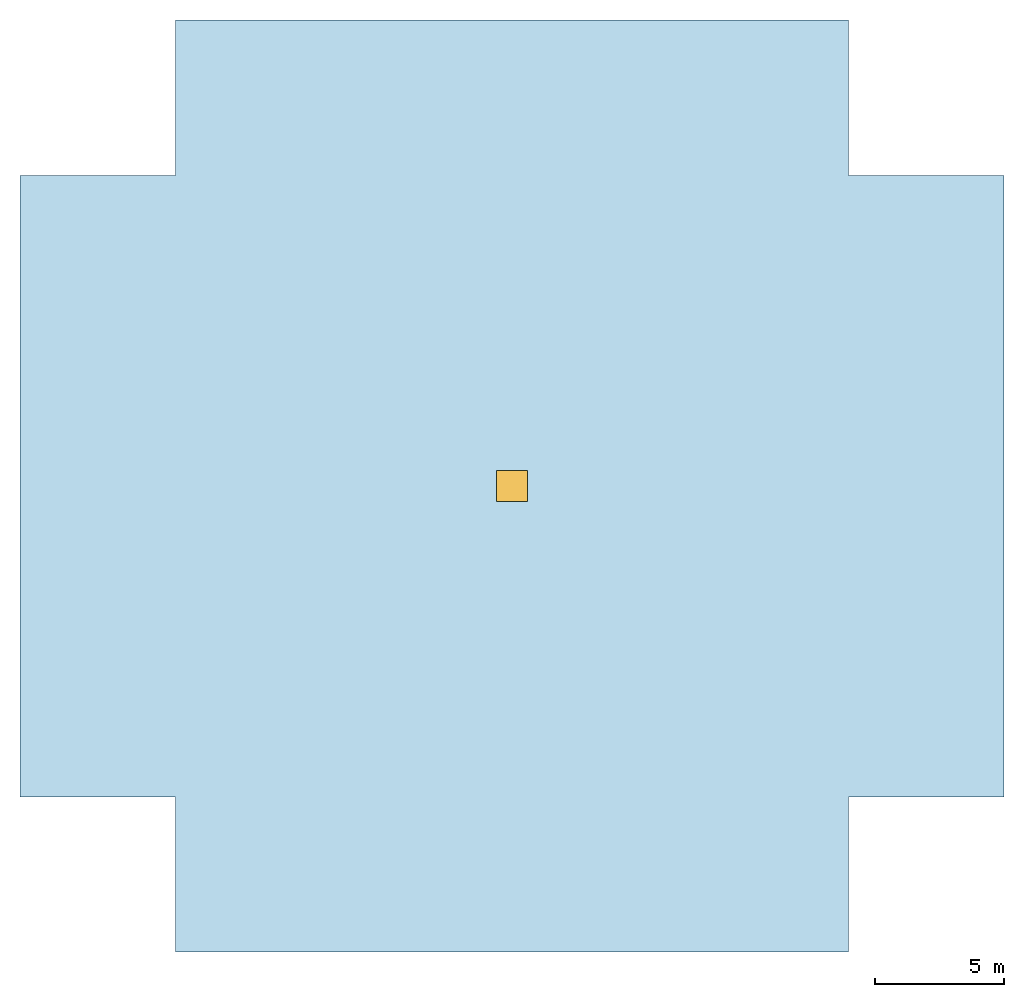
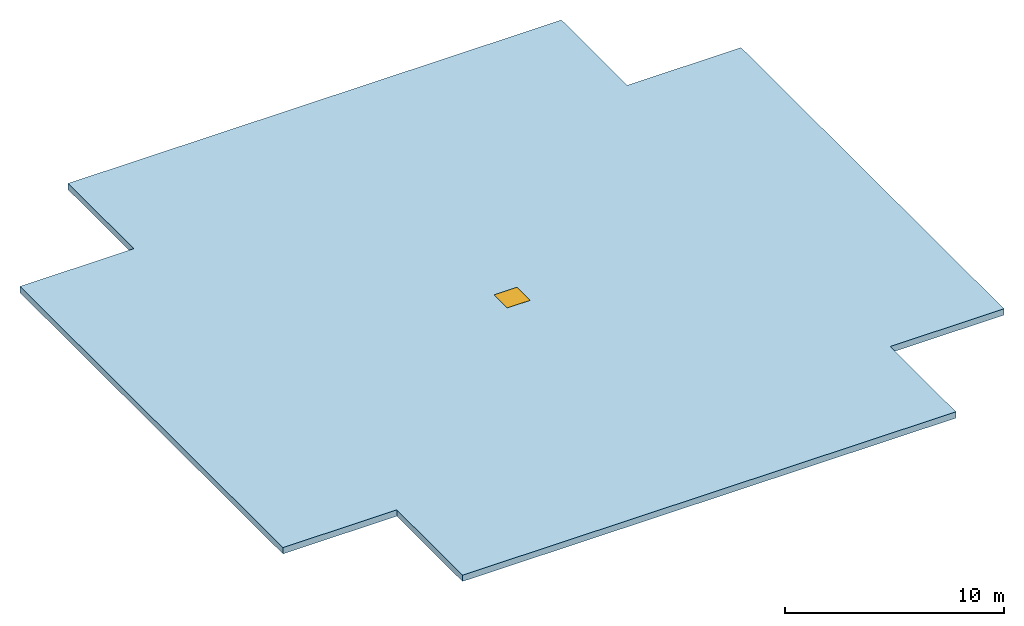
# One storey: 1 slab, 1 window, 1 opening.
"""IFC4 building model written with IfcOpenShell, lengths in metres."""

from ifc_helpers import new_model, si_unit, direction, frame, origin, origin_2d, place, context, subcontext, project, spatial, polyline, rectangle, outline, extrude, material, layer, layer_set, type_object, element, fill, save


model = new_model("IFC4")

# Units and contexts
model_context = context("Model", 3, precision=1e-05, world=origin(), true_north=direction((0.0, 1.0)))
body_context = subcontext(model_context, "Body", "Model", "MODEL_VIEW")
ifc_project = project(units=[si_unit("LENGTHUNIT", "METRE"), si_unit("AREAUNIT", "SQUARE_METRE"), si_unit("VOLUMEUNIT", "CUBIC_METRE"), si_unit("PLANEANGLEUNIT", "RADIAN"), si_unit("MASSUNIT", "GRAM", prefix="KILO")], contexts=[model_context])

# Site, building, storey
site_placement = place(None, origin())
site = spatial("IfcSite", under=ifc_project, at=site_placement, CompositionType="ELEMENT")
building_placement = place(site_placement, origin())
building = spatial("IfcBuilding", under=site, at=building_placement, Name="Brelmoor Portico Tower", CompositionType="ELEMENT")
storey_placement = place(building_placement, frame((0.0, 0.0, 312.0)))
storey = spatial("IfcBuildingStorey", under=building, at=storey_placement, Name="RF", CompositionType="ELEMENT", Elevation=312.0)

# Slab, opening, window
ifc_material_1 = material(Name="Concrete C40", Category="concrete")
ifc_layer = layer(ifc_material_1, 0.35009765625)
ifc_layer_set = layer_set([ifc_layer], Name="Concrete C40")
slab_type = type_object("IfcSlabType", Name="SL-ROOF-350", PredefinedType="ROOF", material=ifc_layer_set)
slab_placement = place(storey_placement, frame((0.0, 0.0, -0.35009765625)))
slab = element("IfcSlab", 1, at=slab_placement, inside=storey, type_object=slab_type, Name="Crown Ring Main Roof Slab RS-350", PredefinedType="ROOF", context=body_context, shape_type="SweptSolid", body=[
    extrude(outline(polyline([(-13.0, -18.0), (13.0, -18.0), (13.0, -12.0), (19.0, -12.0), (19.0, 12.0), (13.0, 12.0), (13.0, 18.0), (-13.0, 18.0), (-13.0, 12.0), (-19.0, 12.0), (-19.0, -12.0), (-13.0, -12.0), (-13.0, -18.0)])), origin(), (0.0, 0.0, 1.0), 0.35009765625),
])
opening_placement = place(slab_placement, origin())
opening = element("IfcOpeningElement", 2, at=opening_placement, cuts=slab, Name="Opening W-05", PredefinedType="OPENING", context=body_context, shape_type="SweptSolid", body=[
    extrude(rectangle(XDim=1.199951171875, YDim=1.199951171875, at=origin_2d()), origin(), (0.0, 0.0, 1.0), 0.35009765625),
])
ifc_material_2 = material(Name="Thermally Broken Aluminium Low-E Window", Category="aluminium")
window_type = type_object("IfcWindowType", Name="WN-ROOF-HATCH-1200", PartitioningType="SINGLE_PANEL", PredefinedType="SKYLIGHT", material=ifc_material_2)
window_placement = place(opening_placement, frame((0.0, 0.0, 0.300048828125)))
window = element("IfcWindow", 3, at=window_placement, inside=storey, type_object=window_type, Name="Crown Main Roof Maintenance Access Hatch", OverallHeight=1.199951171875, OverallWidth=1.199951171875, PartitioningType="SINGLE_PANEL", PredefinedType="SKYLIGHT", context=body_context, shape_type="SweptSolid", body=[
    extrude(rectangle(XDim=1.199951171875, YDim=1.199951171875, at=origin_2d()), origin(), (0.0, 0.0, 1.0), 0.050048828125),
])
fill(opening, window)

save(model, "model.ifc")
